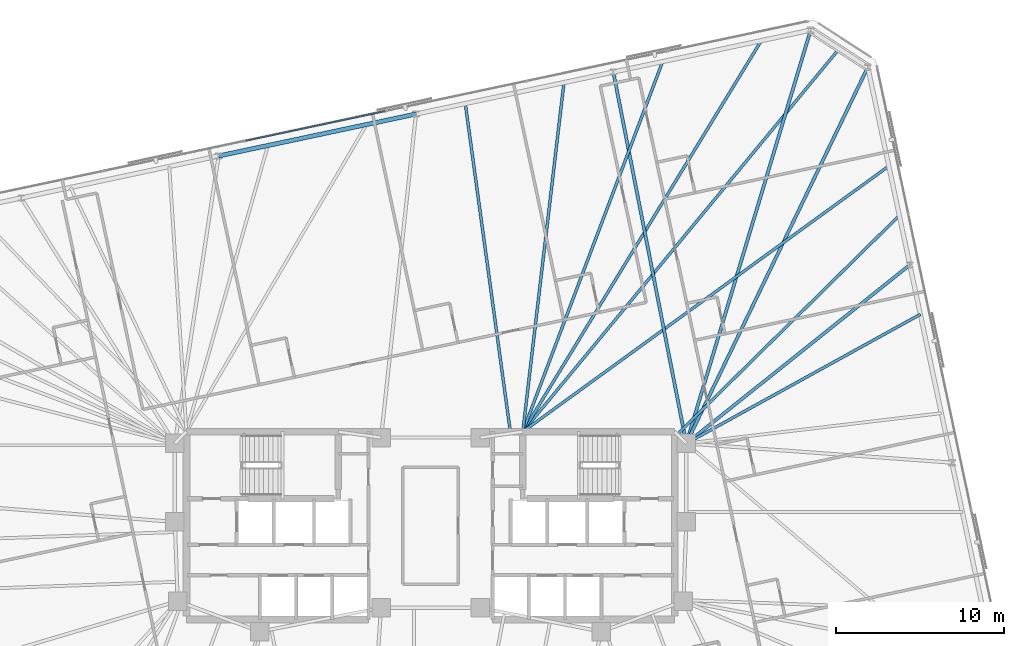
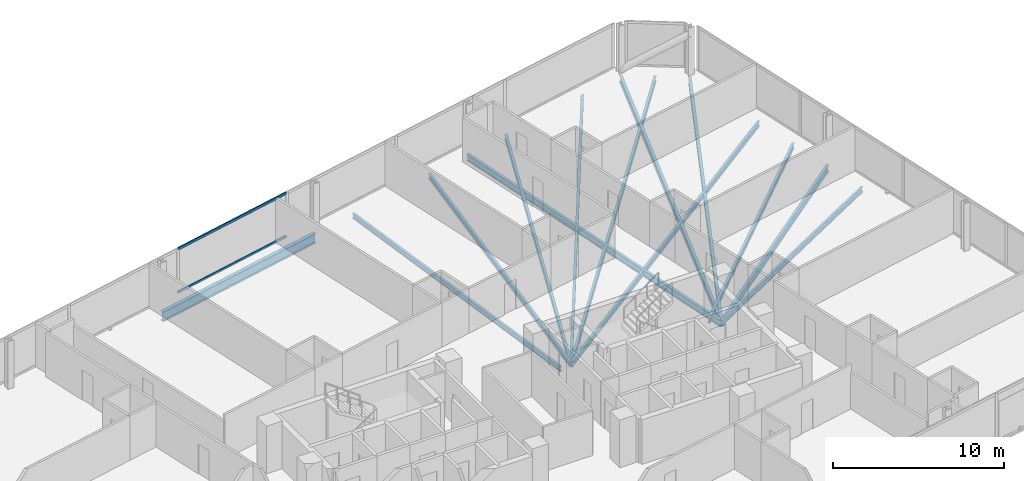
# One storey, part 10 of 19: 13 beams, 2 members, 1 element without a shape of its own.
"""IFC4 building model written with IfcOpenShell, lengths in metres."""

from ifc_helpers import new_model, si_unit, direction, frame, origin, origin_2d, place, context, subcontext, project, spatial, rectangle, i_section, extrude, material, material_profile, profile_set, type_object, element, aggregate, save


model = new_model("IFC4")

# Units and contexts
model_context = context("Model", 3, precision=1e-05, world=origin(), true_north=direction((0.0, 1.0)))
body_context = subcontext(model_context, "Body", "Model", "MODEL_VIEW")
ifc_project = project(units=[si_unit("LENGTHUNIT", "METRE"), si_unit("AREAUNIT", "SQUARE_METRE"), si_unit("VOLUMEUNIT", "CUBIC_METRE"), si_unit("PLANEANGLEUNIT", "RADIAN"), si_unit("MASSUNIT", "GRAM", prefix="KILO")], contexts=[model_context])

# Site, building, storey
site_placement = place(None, origin())
site = spatial("IfcSite", under=ifc_project, at=site_placement, CompositionType="ELEMENT")
building_placement = place(site_placement, origin())
building = spatial("IfcBuilding", under=site, at=building_placement, Name="Menara Jurai Vektor", CompositionType="ELEMENT")
storey_placement = place(building_placement, frame((0.0, 0.0, 154.800048828125)))
storey = spatial("IfcBuildingStorey", under=building, at=storey_placement, Name="L39", CompositionType="ELEMENT", Elevation=154.800048828125)

# Curtain wall, members
ifc_material_1 = material(Name="Anodised Pale Aluminium & Low-E Double Glazing", Category="aluminium")
curtain_wall_type = type_object("IfcCurtainWallType", Name="CW-BLK3", PredefinedType="NOTDEFINED", material=ifc_material_1)
curtain_wall_placement = place(storey_placement, origin())
curtain_wall = element("IfcCurtainWall", 1, at=curtain_wall_placement, inside=storey, type_object=curtain_wall_type, Name="Unitised Curtain Wall L39 F05", PredefinedType="NOTDEFINED")
ifc_material_2 = material(Name="Anodised Pale Aluminium Transom", Category="aluminium")
ifc_material_profile_1 = material_profile(ifc_material_2, rectangle(XDim=0.0849609375, YDim=0.175048828125, at=origin_2d()), Name="ALU TRN 85x175")
ifc_profile_set_1 = profile_set([ifc_material_profile_1], Name="Anodised Pale Aluminium Transom")
member_type = type_object("IfcMemberType", Name="CW-BLK3-TRN", PredefinedType="USERDEFINED", material=ifc_profile_set_1)
member_1_placement = place(storey_placement, frame((-2.716796875, 24.712890625, 0.04248046875), z_axis=(-0.978153589924, -0.207883511896, 0.0), x_axis=(0.207883511896, -0.978153589924, 0.0)))
member_1 = element("IfcMember", 2, at=member_1_placement, type_object=member_type, Name="CW-03 transom 4.1", ObjectType="TRANSOM", PredefinedType="USERDEFINED", context=body_context, shape_type="SweptSolid", body=[
    extrude(rectangle(XDim=0.0849609375, YDim=0.175048828125, at=origin_2d()), origin(), (0.0, 0.0, 1.0), 8.4921875),
])
member_2_placement = place(storey_placement, frame((-2.716796875, 24.712890625, 3.132568359375), z_axis=(-0.978153589924, -0.207883511896, 0.0), x_axis=(0.207883511896, -0.978153589924, 0.0)))
member_2 = element("IfcMember", 3, at=member_2_placement, type_object=member_type, Name="CW-03 transom 4.2", ObjectType="TRANSOM", PredefinedType="USERDEFINED", context=body_context, shape_type="SweptSolid", body=[
    extrude(rectangle(XDim=0.0849609375, YDim=0.175048828125, at=origin_2d()), origin(), (0.0, 0.0, 1.0), 8.4921875),
])
aggregate(curtain_wall, [member_1, member_2])

# Beams
ifc_material_3 = material(Name="Steel S355", Category="steel")
ifc_material_profile_2 = material_profile(ifc_material_3, i_section(OverallWidth=0.19091796875, OverallDepth=0.4599609375, WebThickness=0.010009765625, FlangeThickness=0.01611328125, FilletRadius=0.010009765625, at=origin_2d()), Name="UKB 457x191x82")
ifc_profile_set_2 = profile_set([ifc_material_profile_2], Name="Steel S355")
beam_type_1 = type_object("IfcBeamType", Name="STR-BM-457", PredefinedType="BEAM", material=ifc_profile_set_2)
beam_1_placement = place(storey_placement, frame((28.5771484375, 15.544921875, -0.455078125), z_axis=(-0.781346163898, -0.624097886683, 0.0), x_axis=(0.624097886683, -0.781346163898, 0.0)))
element("IfcBeam", 4, at=beam_1_placement, inside=storey, type_object=beam_type_1, Name="Radial Floor Girder L39-E3", PredefinedType="BEAM", context=body_context, shape_type="SweptSolid", body=[
    extrude(i_section(OverallWidth=0.19091796875, OverallDepth=0.4599609375, WebThickness=0.010009765625, FlangeThickness=0.01611328125, FilletRadius=0.010009765625, at=origin_2d()), origin(), (0.0, 0.0, 1.0), 17.056640625),
])
beam_2_placement = place(storey_placement, frame((26.0712890625, 27.33349609375, -0.455078125), z_axis=(-0.434465059539, -0.900688687639, 0.0), x_axis=(0.900688687639, -0.434465059539, 0.0)))
element("IfcBeam", 5, at=beam_2_placement, inside=storey, type_object=beam_type_1, Name="Radial Floor Girder L39-E4", PredefinedType="BEAM", context=body_context, shape_type="SweptSolid", body=[
    extrude(i_section(OverallWidth=0.19091796875, OverallDepth=0.4599609375, WebThickness=0.010009765625, FlangeThickness=0.01611328125, FilletRadius=0.010009765625, at=origin_2d()), origin(), (0.0, 0.0, 1.0), 24.9072265625),
])
beam_3_placement = place(storey_placement, frame((22.664794921875, 29.545654296875, -0.455078125), z_axis=(-0.288098843548, -0.957600676872, 0.0), x_axis=(0.957600676872, -0.288098843548, 0.0)))
element("IfcBeam", 6, at=beam_3_placement, inside=storey, type_object=beam_type_1, Name="Radial Floor Girder L39-N1", PredefinedType="BEAM", context=body_context, shape_type="SweptSolid", body=[
    extrude(i_section(OverallWidth=0.19091796875, OverallDepth=0.4599609375, WebThickness=0.010009765625, FlangeThickness=0.01611328125, FilletRadius=0.010009765625, at=origin_2d()), origin(), (0.0, 0.0, 1.0), 25.737060546875),
])
beam_4_placement = place(storey_placement, frame((10.896484375, 27.044189453125, -0.455078125), z_axis=(0.192905075816, -0.981217423268, 0.0), x_axis=(0.981217423268, 0.192905075816, 0.0)))
element("IfcBeam", 7, at=beam_4_placement, inside=storey, type_object=beam_type_1, Name="Radial Floor Girder L39-N2", PredefinedType="BEAM", context=body_context, shape_type="SweptSolid", body=[
    extrude(i_section(OverallWidth=0.19091796875, OverallDepth=0.4599609375, WebThickness=0.010009765625, FlangeThickness=0.01611328125, FilletRadius=0.010009765625, at=origin_2d()), origin(), (0.0, 0.0, 1.0), 22.568115234375),
])
ifc_material_profile_3 = material_profile(ifc_material_3, i_section(OverallWidth=0.172119140625, OverallDepth=0.35498046875, WebThickness=0.007080078125, FlangeThickness=0.011962890625, FilletRadius=0.010009765625, at=origin_2d()), Name="UKB 356x171x51")
ifc_profile_set_3 = profile_set([ifc_material_profile_3], Name="Steel S355")
beam_type_2 = type_object("IfcBeamType", Name="STR-JS-356", PredefinedType="JOIST", material=ifc_profile_set_3)
beam_5_placement = place(storey_placement, frame((29.20361328125, 12.597900390625, -0.402587890625), z_axis=(-0.875592207488, -0.483051018202, 0.0), x_axis=(0.483051018202, -0.875592207488, 0.0)))
element("IfcBeam", 8, at=beam_5_placement, inside=storey, type_object=beam_type_2, Name="Radial Secondary Floor Joist L39-JS14", PredefinedType="JOIST", context=body_context, shape_type="SweptSolid", body=[
    extrude(i_section(OverallWidth=0.172119140625, OverallDepth=0.35498046875, WebThickness=0.007080078125, FlangeThickness=0.011962890625, FilletRadius=0.010009765625, at=origin_2d()), origin(), (0.0, 0.0, 1.0), 15.936279296875),
])
beam_6_placement = place(storey_placement, frame((27.95068359375, 18.4921875, -0.402587890625), z_axis=(-0.712171791789, -0.702005227174, 0.0), x_axis=(0.702005227174, -0.712171791789, 0.0)))
element("IfcBeam", 9, at=beam_6_placement, inside=storey, type_object=beam_type_2, Name="Radial Secondary Floor Joist L39-JS15", PredefinedType="JOIST", context=body_context, shape_type="SweptSolid", body=[
    extrude(i_section(OverallWidth=0.172119140625, OverallDepth=0.35498046875, WebThickness=0.007080078125, FlangeThickness=0.011962890625, FilletRadius=0.010009765625, at=origin_2d()), origin(), (0.0, 0.0, 1.0), 18.5869140625),
])
beam_7_placement = place(storey_placement, frame((27.32421875, 21.439208984375, -0.402587890625), z_axis=(-0.809318640486, -0.587369847848, 0.0), x_axis=(0.587369847848, -0.809318640486, 0.0)))
element("IfcBeam", 10, at=beam_7_placement, inside=storey, type_object=beam_type_2, Name="Radial Secondary Floor Joist L39-JS16", PredefinedType="JOIST", context=body_context, shape_type="SweptSolid", body=[
    extrude(i_section(OverallWidth=0.172119140625, OverallDepth=0.35498046875, WebThickness=0.007080078125, FlangeThickness=0.011962890625, FilletRadius=0.010009765625, at=origin_2d()), origin(), (0.0, 0.0, 1.0), 26.966064453125),
])
beam_8_placement = place(storey_placement, frame((24.3681640625, 28.439697265625, -0.402587890625), z_axis=(-0.636894863934, -0.770950667873, 0.0), x_axis=(0.770950667873, -0.636894863934, 0.0)))
element("IfcBeam", 11, at=beam_8_placement, inside=storey, type_object=beam_type_2, Name="Radial Secondary Floor Joist L39-JS17", PredefinedType="JOIST", context=body_context, shape_type="SweptSolid", body=[
    extrude(i_section(OverallWidth=0.172119140625, OverallDepth=0.35498046875, WebThickness=0.007080078125, FlangeThickness=0.011962890625, FilletRadius=0.010009765625, at=origin_2d()), origin(), (0.0, 0.0, 1.0), 29.625244140625),
])
beam_9_placement = place(storey_placement, frame((19.72265625, 28.92041015625, -0.402587890625), z_axis=(-0.520686242997, -0.8537481106, 0.0), x_axis=(0.8537481106, -0.520686242997, 0.0)))
element("IfcBeam", 12, at=beam_9_placement, inside=storey, type_object=beam_type_2, Name="Radial Secondary Floor Joist L39-JS18", PredefinedType="JOIST", context=body_context, shape_type="SweptSolid", body=[
    extrude(i_section(OverallWidth=0.172119140625, OverallDepth=0.35498046875, WebThickness=0.007080078125, FlangeThickness=0.011962890625, FilletRadius=0.010009765625, at=origin_2d()), origin(), (0.0, 0.0, 1.0), 27.315185546875),
])
beam_10_placement = place(storey_placement, frame((13.838623046875, 27.669677734375, -0.402587890625), z_axis=(-0.353446048928, -0.935454910991, 0.0), x_axis=(0.935454910991, -0.353446048928, 0.0)))
element("IfcBeam", 13, at=beam_10_placement, inside=storey, type_object=beam_type_2, Name="Radial Secondary Floor Joist L39-JS19", PredefinedType="JOIST", context=body_context, shape_type="SweptSolid", body=[
    extrude(i_section(OverallWidth=0.172119140625, OverallDepth=0.35498046875, WebThickness=0.007080078125, FlangeThickness=0.011962890625, FilletRadius=0.010009765625, at=origin_2d()), origin(), (0.0, 0.0, 1.0), 23.59228515625),
])
beam_11_placement = place(storey_placement, frame((7.95458984375, 26.4189453125, -0.402587890625), z_axis=(-0.117091260338, -0.99312115915, 0.0), x_axis=(0.99312115915, -0.117091260338, 0.0)))
element("IfcBeam", 14, at=beam_11_placement, inside=storey, type_object=beam_type_2, Name="Radial Secondary Floor Joist L39-JS20", PredefinedType="JOIST", context=body_context, shape_type="SweptSolid", body=[
    extrude(i_section(OverallWidth=0.172119140625, OverallDepth=0.35498046875, WebThickness=0.007080078125, FlangeThickness=0.011962890625, FilletRadius=0.010009765625, at=origin_2d()), origin(), (0.0, 0.0, 1.0), 20.963134765625),
])
beam_12_placement = place(storey_placement, frame((2.0703125, 25.168212890625, -0.402587890625), z_axis=(0.135985700778, -0.990710799973, 0.0), x_axis=(0.990710799973, 0.135985700778, 0.0)))
element("IfcBeam", 15, at=beam_12_placement, inside=storey, type_object=beam_type_2, Name="Radial Secondary Floor Joist L39-JS21", PredefinedType="JOIST", context=body_context, shape_type="SweptSolid", body=[
    extrude(i_section(OverallWidth=0.172119140625, OverallDepth=0.35498046875, WebThickness=0.007080078125, FlangeThickness=0.011962890625, FilletRadius=0.010009765625, at=origin_2d()), origin(), (0.0, 0.0, 1.0), 19.852783203125),
])
ifc_material_4 = material(Name="Steel S460", Category="steel")
ifc_material_profile_4 = material_profile(ifc_material_4, i_section(OverallWidth=0.256103515625, OverallDepth=0.693115234375, WebThickness=0.013916015625, FlangeThickness=0.02392578125, FilletRadius=0.014892578125, at=origin_2d()), Name="UKB 686x254x170")
ifc_profile_set_4 = profile_set([ifc_material_profile_4], Name="Steel S460")
beam_type_3 = type_object("IfcBeamType", Name="STR-SP-686", PredefinedType="SPANDREL", material=ifc_profile_set_4)
beam_13_placement = place(storey_placement, frame((-0.87158203125, 24.54296875, -0.571533203125), z_axis=(-0.978147039247, -0.207914332389, 0.0), x_axis=(0.207914332389, -0.978147039247, 0.0)))
element("IfcBeam", 16, at=beam_13_placement, inside=storey, type_object=beam_type_3, Name="Exoskeleton Spandrel Beam L39-13", PredefinedType="SPANDREL", context=body_context, shape_type="SweptSolid", body=[
    extrude(i_section(OverallWidth=0.256103515625, OverallDepth=0.693115234375, WebThickness=0.013916015625, FlangeThickness=0.02392578125, FilletRadius=0.014892578125, at=origin_2d()), origin(), (0.0, 0.0, 1.0), 12.03125),
])

save(model, "model.ifc")
